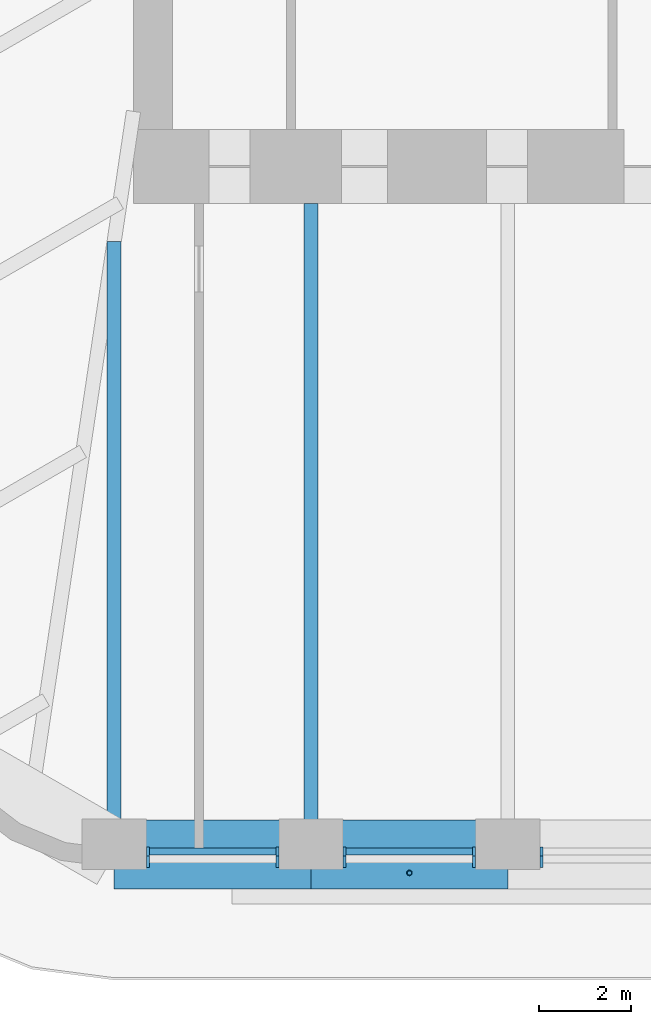
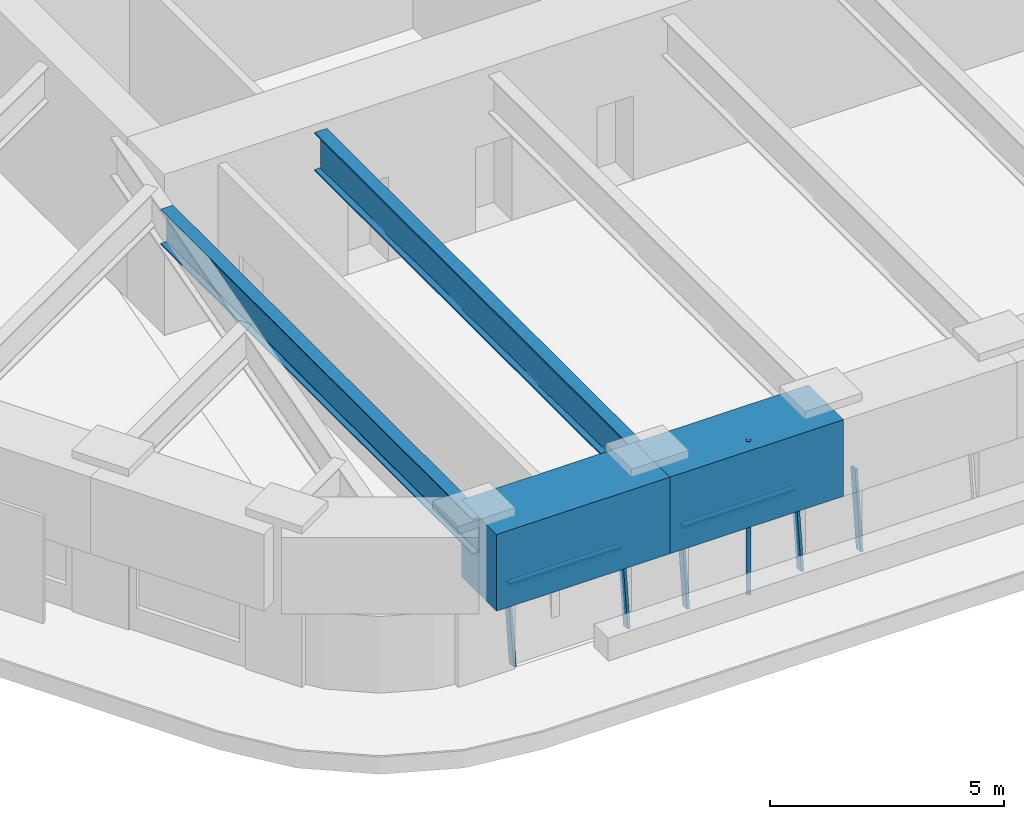
# One storey, part 2 of 18: 8 members, 4 beams, 3 elements without a shape of their own.
"""IFC4 building model written with IfcOpenShell, lengths in metres."""

from ifc_helpers import new_model, si_unit, direction, frame, origin, origin_2d, place, context, subcontext, project, spatial, rectangle, hollow_circle, i_section, extrude, material, material_profile, profile_set, type_object, element, aggregate, save


model = new_model("IFC4")

# Units and contexts
model_context = context("Model", 3, precision=1e-05, world=origin(), true_north=direction((0.0, 1.0)))
body_context = subcontext(model_context, "Body", "Model", "MODEL_VIEW")
ifc_project = project(units=[si_unit("LENGTHUNIT", "METRE"), si_unit("AREAUNIT", "SQUARE_METRE"), si_unit("VOLUMEUNIT", "CUBIC_METRE"), si_unit("PLANEANGLEUNIT", "RADIAN"), si_unit("MASSUNIT", "GRAM", prefix="KILO")], contexts=[model_context])

# Site, building, storey
site_placement = place(None, origin())
site = spatial("IfcSite", under=ifc_project, at=site_placement, CompositionType="ELEMENT")
building_placement = place(site_placement, origin())
building = spatial("IfcBuilding", under=site, at=building_placement, Name="Tarfa Lantern Tower", CompositionType="ELEMENT")
storey_placement = place(building_placement, frame((0.0, 0.0, 324.10009765625)))
storey = spatial("IfcBuildingStorey", under=building, at=storey_placement, Name="L73", CompositionType="ELEMENT", Elevation=324.10009765625)

# Curtain wall, members
ifc_material_1 = material(Name="Aluminium framed curtain wall", Category="aluminium")
curtain_wall_type = type_object("IfcCurtainWallType", Name="CW4 CANTED GLAZING EXECUTIVE ZONE 2000", PredefinedType="USERDEFINED", material=ifc_material_1)
curtain_wall_1_placement = place(storey_placement, origin())
curtain_wall_1 = element("IfcCurtainWall", 1, at=curtain_wall_1_placement, inside=storey, type_object=curtain_wall_type, Name="CW4 S L73", ObjectType="CURTAIN WALL", PredefinedType="USERDEFINED")
ifc_material_2 = material(Name="Aluminium mullion", Category="aluminium")
ifc_material_profile_1 = material_profile(ifc_material_2, rectangle(XDim=0.06494140625, YDim=0.199951171875, at=origin_2d()), Name="AL MULLION 65x200")
ifc_profile_set_1 = profile_set([ifc_material_profile_1], Name="Aluminium mullion")
member_type_1 = type_object("IfcMemberType", Name="CWM1 MULLION 65x200", PredefinedType="MULLION", material=ifc_profile_set_1)
member_1_placement = place(storey_placement, frame((-12.113525390625, -26.64990234375, 0.0), z_axis=(0.0, 0.124034734589, 0.992277876714), x_axis=(-1.0, 0.0, 0.0)))
member_1 = element("IfcMember", 2, at=member_1_placement, type_object=member_type_1, Name="CW4 mullion 1", PredefinedType="MULLION", context=body_context, shape_type="SweptSolid", body=[
    extrude(rectangle(XDim=0.06494140625, YDim=0.199951171875, at=origin_2d()), origin(), (0.0, 0.0, 1.0), 2.015625),
])
member_2_placement = place(storey_placement, frame((-9.296630859375, -26.64990234375, 0.0), z_axis=(0.0, 0.124034734589, 0.992277876714), x_axis=(-1.0, 0.0, 0.0)))
member_2 = element("IfcMember", 3, at=member_2_placement, type_object=member_type_1, Name="CW4 mullion 2", PredefinedType="MULLION", context=body_context, shape_type="SweptSolid", body=[
    extrude(rectangle(XDim=0.06494140625, YDim=0.199951171875, at=origin_2d()), origin(), (0.0, 0.0, 1.0), 2.015625),
])

curtain_wall_2_placement = place(storey_placement, origin())
curtain_wall_2 = element("IfcCurtainWall", 4, at=curtain_wall_2_placement, inside=storey, type_object=curtain_wall_type, Name="CW4 S L73", ObjectType="CURTAIN WALL", PredefinedType="USERDEFINED")
member_3_placement = place(storey_placement, frame((-7.83154296875, -26.64990234375, 0.0), z_axis=(0.0, 0.124034734589, 0.992277876714), x_axis=(-1.0, 0.0, 0.0)))
member_3 = element("IfcMember", 5, at=member_3_placement, type_object=member_type_1, Name="CW4 mullion 1", PredefinedType="MULLION", context=body_context, shape_type="SweptSolid", body=[
    extrude(rectangle(XDim=0.06494140625, YDim=0.199951171875, at=origin_2d()), origin(), (0.0, 0.0, 1.0), 2.015625),
])
member_4_placement = place(storey_placement, frame((-5.014404296875, -26.64990234375, 0.0), z_axis=(0.0, 0.124034734589, 0.992277876714), x_axis=(-1.0, 0.0, 0.0)))
member_4 = element("IfcMember", 6, at=member_4_placement, type_object=member_type_1, Name="CW4 mullion 2", PredefinedType="MULLION", context=body_context, shape_type="SweptSolid", body=[
    extrude(rectangle(XDim=0.06494140625, YDim=0.199951171875, at=origin_2d()), origin(), (0.0, 0.0, 1.0), 2.015625),
])

# Curtain wall, member
curtain_wall_3_placement = place(storey_placement, origin())
curtain_wall_3 = element("IfcCurtainWall", 7, at=curtain_wall_3_placement, inside=storey, type_object=curtain_wall_type, Name="CW4 S L73", ObjectType="CURTAIN WALL", PredefinedType="USERDEFINED")
member_5_placement = place(storey_placement, frame((-3.549560546875, -26.64990234375, 0.0), z_axis=(0.0, 0.124034734589, 0.992277876714), x_axis=(-1.0, 0.0, 0.0)))
member_5 = element("IfcMember", 8, at=member_5_placement, type_object=member_type_1, Name="CW4 mullion 1", PredefinedType="MULLION", context=body_context, shape_type="SweptSolid", body=[
    extrude(rectangle(XDim=0.06494140625, YDim=0.199951171875, at=origin_2d()), origin(), (0.0, 0.0, 1.0), 2.015625),
])
aggregate(curtain_wall_3, [member_5])

# Member
ifc_material_3 = material(Name="Aluminium transom", Category="aluminium")
ifc_material_profile_2 = material_profile(ifc_material_3, rectangle(XDim=0.14990234375, YDim=0.06494140625, at=origin_2d()), Name="AL TRANSOM 150x65")
ifc_profile_set_2 = profile_set([ifc_material_profile_2], Name="Aluminium transom")
member_type_2 = type_object("IfcMemberType", Name="CWT1 TRANSOM 150x65", PredefinedType="USERDEFINED", material=ifc_profile_set_2)
member_6_placement = place(storey_placement, frame((-12.0810546875, -26.404052734375, 1.96728515625), z_axis=(1.0, 0.0, 0.0), x_axis=(0.0, 1.0, 0.0)))
member_6 = element("IfcMember", 9, at=member_6_placement, type_object=member_type_2, Name="CW4 transom 1.2", ObjectType="TRANSOM", PredefinedType="USERDEFINED", context=body_context, shape_type="SweptSolid", body=[
    extrude(rectangle(XDim=0.14990234375, YDim=0.06494140625, at=origin_2d()), origin(), (0.0, 0.0, 1.0), 2.751953125),
])

aggregate(curtain_wall_1, [member_1, member_2, member_6])

member_7_placement = place(storey_placement, frame((-7.799072265625, -26.404052734375, 1.96728515625), z_axis=(1.0, 0.0, 0.0), x_axis=(0.0, 1.0, 0.0)))
member_7 = element("IfcMember", 10, at=member_7_placement, type_object=member_type_2, Name="CW4 transom 1.2", ObjectType="TRANSOM", PredefinedType="USERDEFINED", context=body_context, shape_type="SweptSolid", body=[
    extrude(rectangle(XDim=0.14990234375, YDim=0.06494140625, at=origin_2d()), origin(), (0.0, 0.0, 1.0), 2.751953125),
])

aggregate(curtain_wall_2, [member_3, member_4, member_7])

# Beams
ifc_material_4 = material(Name="Concrete C80/95", Category="concrete")
ifc_material_profile_3 = material_profile(ifc_material_4, rectangle(XDim=1.5, YDim=2.0, at=origin_2d()), Name="RC 1500x2000")
ifc_profile_set_3 = profile_set([ifc_material_profile_3], Name="Concrete C80/95")
beam_type_1 = type_object("IfcBeamType", Name="RB3 RC 1500x2000", PredefinedType="BEAM", material=ifc_profile_set_3)
for number, where, z_axis, x_axis, name in (
    (11, (-12.845947265625, -26.469970703125, 3.0), (1.0, 0.0, 0.0), (0.0, 1.0, 0.0), "Edge beam S0"),
    (12, (-8.56396484375, -26.469970703125, 3.0), (1.0, 0.0, 0.0), (0.0, 1.0, 0.0), "Edge beam S1"),
):
    element("IfcBeam", number, at=place(storey_placement, frame(where, z_axis=z_axis, x_axis=x_axis)), inside=storey, type_object=beam_type_1, Name=name, PredefinedType="BEAM", context=body_context, shape_type="SweptSolid", body=[
        extrude(rectangle(XDim=1.5, YDim=2.0, at=origin_2d()), origin(), (0.0, 0.0, 1.0), 4.281982421875),
    ])

# Member
ifc_material_5 = material(Name="Steel S355", Category="steel")
ifc_material_profile_4 = material_profile(ifc_material_5, hollow_circle(Radius=0.05712890625, WallThickness=0.00634765625, at=origin_2d()), Name="CHS114.3x6.3")
ifc_profile_set_4 = profile_set([ifc_material_profile_4], Name="Steel S355")
member_type_3 = type_object("IfcMemberType", Name="TR1 GREEN WALL TRELLIS CHS114.3x6.3", PredefinedType="USERDEFINED", material=ifc_profile_set_4)
member_8_placement = place(storey_placement, frame((-6.423095703125, -26.8701171875, 0.0), z_axis=(0.0, 0.0, 1.0), x_axis=(1.0, 0.0, 0.0)))
element("IfcMember", 13, at=member_8_placement, inside=storey, type_object=member_type_3, Name="Trellis post S 1", ObjectType="TRELLIS", PredefinedType="USERDEFINED", context=body_context, shape_type="SweptSolid", body=[
    extrude(hollow_circle(Radius=0.05712890625, WallThickness=0.00634765625, at=origin_2d()), origin(), (0.0, 0.0, 1.0), 4.0),
])

# Beams
ifc_material_6 = material(Name="Steel S460M", Category="steel")
ifc_material_profile_5 = material_profile(ifc_material_6, i_section(OverallWidth=0.302001953125, OverallDepth=1.008056640625, WebThickness=0.02099609375, FlangeThickness=0.0400390625, FilletRadius=0.030029296875, at=origin_2d()), Name="UB1016x305x349")
ifc_profile_set_5 = profile_set([ifc_material_profile_5], Name="Steel S460M")
beam_type_2 = type_object("IfcBeamType", Name="UB1016x305x349", PredefinedType="BEAM", material=ifc_profile_set_5)
beam_1_placement = place(storey_placement, frame((-8.56396484375, -26.469970703125, 3.495849609375), z_axis=(0.0, 1.0, 0.0), x_axis=(-1.0, 0.0, 0.0)))
element("IfcBeam", 14, at=beam_1_placement, inside=storey, type_object=beam_type_2, Name="Floor beam S1", PredefinedType="BEAM", context=body_context, shape_type="SweptSolid", body=[
    extrude(i_section(OverallWidth=0.302001953125, OverallDepth=1.008056640625, WebThickness=0.02099609375, FlangeThickness=0.0400390625, FilletRadius=0.030029296875, at=origin_2d()), origin(), (0.0, 0.0, 1.0), 14.169921875),
])
ifc_material_profile_6 = material_profile(ifc_material_6, i_section(OverallWidth=0.305419921875, OverallDepth=0.91845703125, WebThickness=0.017333984375, FlangeThickness=0.02783203125, FilletRadius=0.01904296875, at=origin_2d()), Name="UB914x305x253")
ifc_profile_set_6 = profile_set([ifc_material_profile_6], Name="Steel S460M")
beam_type_3 = type_object("IfcBeamType", Name="UB914x305x253", PredefinedType="BEAM", material=ifc_profile_set_6)
beam_2_placement = place(storey_placement, frame((-12.845947265625, -26.469970703125, 3.540771484375), z_axis=(0.0, 1.0, 0.0), x_axis=(-1.0, 0.0, 0.0)))
element("IfcBeam", 15, at=beam_2_placement, inside=storey, type_object=beam_type_3, Name="Floor beam S0", PredefinedType="BEAM", context=body_context, shape_type="SweptSolid", body=[
    extrude(i_section(OverallWidth=0.305419921875, OverallDepth=0.91845703125, WebThickness=0.017333984375, FlangeThickness=0.02783203125, FilletRadius=0.01904296875, at=origin_2d()), origin(), (0.0, 0.0, 1.0), 13.33935546875),
])

save(model, "model.ifc")
